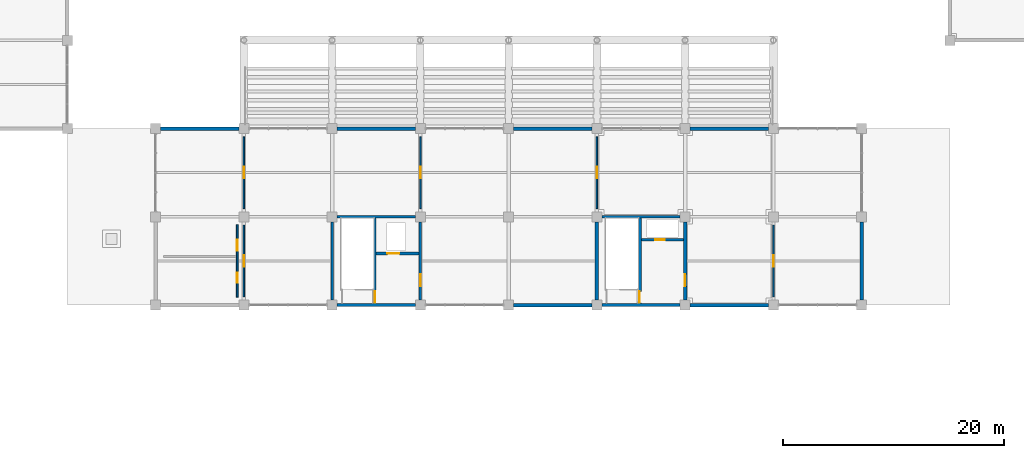
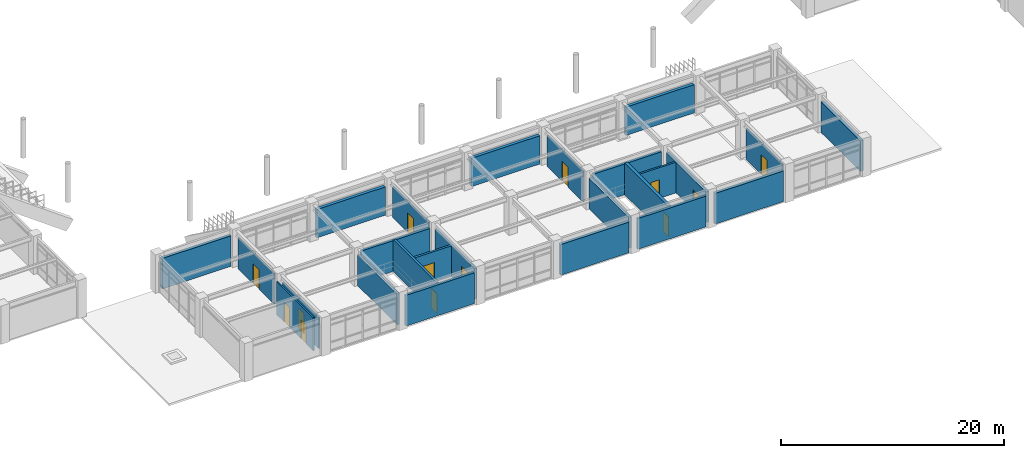
# One storey, part 87 of 118: 25 walls, 13 doors, 13 openings.
"""IFC4 building model written with IfcOpenShell, lengths in metres."""

from ifc_helpers import new_model, si_unit, direction, frame, frame_2d, origin, place, context, subcontext, project, spatial, rectangle, extrude, material, layer, layer_set, type_object, element, fill, save


model = new_model("IFC4")

# Units and contexts
model_context = context("Model", 3, precision=1e-05, world=origin(), true_north=direction((0.0, 1.0)))
body_context = subcontext(model_context, "Body", "Model", "MODEL_VIEW")
ifc_project = project(units=[si_unit("LENGTHUNIT", "METRE"), si_unit("AREAUNIT", "SQUARE_METRE"), si_unit("VOLUMEUNIT", "CUBIC_METRE"), si_unit("PLANEANGLEUNIT", "RADIAN"), si_unit("MASSUNIT", "GRAM", prefix="KILO")], contexts=[model_context])

# Site, building, storey
site_placement = place(None, origin())
site = spatial("IfcSite", under=ifc_project, at=site_placement, CompositionType="ELEMENT")
building_placement = place(site_placement, origin())
building = spatial("IfcBuilding", under=site, at=building_placement, Name="Haebicheon Civic Stadium", CompositionType="ELEMENT")
storey_placement = place(building_placement, frame((0.0, 0.0, 14.39990234375)))
storey = spatial("IfcBuildingStorey", under=building, at=storey_placement, Name="L04", CompositionType="ELEMENT", Elevation=14.39990234375)

# Walls
ifc_material_1 = material(Name="Concrete C40/50", Category="concrete")
ifc_layer_1 = layer(ifc_material_1, 0.239990234375, Name="Concrete C40/50")
ifc_layer_set_1 = layer_set([ifc_layer_1], Name="Concrete C40/50")
wall_type_1 = type_object("IfcWallType", Name="CW-SHR-240", PredefinedType="SHEAR", material=ifc_layer_set_1)
for number, where, z_axis, x_axis, name in (
    (1, (88.449951171875, 16.0, 0.0), (0.0, 0.0, 1.0), (1.0, 0.0, 0.0), "KC-06 L04 south core shear wall"),
    (2, (88.449951171875, 24.0, 0.0), (0.0, 0.0, 1.0), (1.0, 0.0, 0.0), "KC-06 L04 north core shear wall"),
    (3, (88.0, 16.449951171875, 0.0), (0.0, 0.0, 1.0), (0.0, 1.0, 0.0), "KC-06 L04 west core shear wall"),
):
    element("IfcWall", number, at=place(storey_placement, frame(where, z_axis=z_axis, x_axis=x_axis)), inside=storey, type_object=wall_type_1, material=ifc_layer_set_1, Name=name, PredefinedType="SHEAR", context=body_context, shape_type="SweptSolid", body=[
        extrude(rectangle(XDim=7.10009765625, YDim=0.239990234375, at=frame_2d((3.550048828125, 0.0))), origin(), (0.0, 0.0, 1.0), 3.3701171875),
    ])

# Wall, opening, door
wall_1_placement = place(storey_placement, frame((96.0, 16.449951171875, 0.0), z_axis=(0.0, 0.0, 1.0), x_axis=(0.0, 1.0, 0.0)))
wall_1 = element("IfcWall", 4, at=wall_1_placement, inside=storey, type_object=wall_type_1, material=ifc_layer_set_1, Name="KC-06 L04 east core shear wall", PredefinedType="SHEAR", context=body_context, shape_type="SweptSolid", body=[
    extrude(rectangle(XDim=7.10009765625, YDim=0.239990234375, at=frame_2d((3.550048828125, 0.0))), origin(), (0.0, 0.0, 1.0), 3.3701171875),
])
opening_1_placement = place(wall_1_placement, frame((1.25, 0.0, 0.0)))
opening_1 = element("IfcOpeningElement", 5, at=opening_1_placement, cuts=wall_1, Name="Opening D-L04-KC-06-LOB", PredefinedType="OPENING", context=body_context, shape_type="SweptSolid", body=[
    extrude(rectangle(XDim=1.10009765625, YDim=2.199951171875, at=frame_2d((0.550048828125, 1.10009765625))), frame((0.0, 0.1298828125, 0.0), z_axis=(0.0, -1.0, 0.0), x_axis=(1.0, 0.0, 0.0)), (0.0, 0.0, 1.0), 0.260009765625),
])
ifc_material_2 = material(Name="Galvanised painted steel SM355", Category="steel")
door_type_1 = type_object("IfcDoorType", Name="ID-FD-1100", OperationType="NOTDEFINED", PredefinedType="DOOR", material=ifc_material_2)
door_1_placement = place(opening_1_placement, origin())
door_1 = element("IfcDoor", 6, at=door_1_placement, inside=storey, type_object=door_type_1, material=ifc_material_2, Name="L04 KC-06 lobby fire door", OperationType="SINGLE_SWING_LEFT", OverallHeight=2.199951171875, OverallWidth=1.10009765625, PredefinedType="DOOR", context=body_context, shape_type="SweptSolid", body=[
    extrude(rectangle(XDim=1.10009765625, YDim=2.199951171875, at=frame_2d((0.550048828125, 1.10009765625))), frame((0.0, 0.02490234375, 0.0), z_axis=(0.0, -1.0, 0.0), x_axis=(1.0, 0.0, 0.0)), (0.0, 0.0, 1.0), 0.050048828125),
])
fill(opening_1, door_1)

wall_2_placement = place(storey_placement, frame((91.8798828125, 16.1201171875, 0.0), z_axis=(0.0, 0.0, 1.0), x_axis=(0.0, 1.0, 0.0)))
wall_2 = element("IfcWall", 7, at=wall_2_placement, inside=storey, type_object=wall_type_1, material=ifc_layer_set_1, Name="KC-06 L04 stair-lobby dividing shear wall", PredefinedType="SHEAR", context=body_context, shape_type="SweptSolid", body=[
    extrude(rectangle(XDim=7.759765625, YDim=0.239990234375, at=frame_2d((3.8798828125, 0.0))), origin(), (0.0, 0.0, 1.0), 3.47021484375),
])
opening_2_placement = place(wall_2_placement, frame((0.080078125, 0.0, 0.0)))
opening_2 = element("IfcOpeningElement", 8, at=opening_2_placement, cuts=wall_2, Name="Opening D-L04-KC-06-STR", PredefinedType="OPENING", context=body_context, shape_type="SweptSolid", body=[
    extrude(rectangle(XDim=1.050048828125, YDim=2.14990234375, at=frame_2d((0.52490234375, 1.074951171875))), frame((0.0, 0.1298828125, 0.0), z_axis=(0.0, -1.0, 0.0), x_axis=(1.0, 0.0, 0.0)), (0.0, 0.0, 1.0), 0.260009765625),
])
ifc_material_3 = material(Name="Galvanised painted steel SM355", Category="steel")
door_type_2 = type_object("IfcDoorType", Name="ID-FD-1050", OperationType="NOTDEFINED", PredefinedType="DOOR", material=ifc_material_3)
door_2_placement = place(opening_2_placement, origin())
door_2 = element("IfcDoor", 9, at=door_2_placement, inside=storey, type_object=door_type_2, material=ifc_material_3, Name="L04 ST-06 stairwell escape door", OperationType="SINGLE_SWING_RIGHT", OverallHeight=2.14990234375, OverallWidth=1.050048828125, PredefinedType="DOOR", context=body_context, shape_type="SweptSolid", body=[
    extrude(rectangle(XDim=1.050048828125, YDim=2.14990234375, at=frame_2d((0.52490234375, 1.074951171875))), frame((0.0, 0.02490234375, 0.0), z_axis=(0.0, -1.0, 0.0), x_axis=(1.0, 0.0, 0.0)), (0.0, 0.0, 1.0), 0.050048828125),
])
fill(opening_2, door_2)

wall_3_placement = place(storey_placement, frame((92.0, 20.679931640625, 0.0), z_axis=(0.0, 0.0, 1.0), x_axis=(1.0, 0.0, 0.0)))
wall_3 = element("IfcWall", 10, at=wall_3_placement, inside=storey, type_object=wall_type_1, material=ifc_layer_set_1, Name="KC-06 L04 lift shaft front wall", PredefinedType="SHEAR", context=body_context, shape_type="SweptSolid", body=[
    extrude(rectangle(XDim=3.8798828125, YDim=0.239990234375, at=frame_2d((1.93994140625, 0.0))), origin(), (0.0, 0.0, 1.0), 3.3701171875),
])
opening_3_placement = place(wall_3_placement, frame((1.0, 0.0, 0.0)))
opening_3 = element("IfcOpeningElement", 11, at=opening_3_placement, cuts=wall_3, Name="Opening LD-05-L04", PredefinedType="OPENING", context=body_context, shape_type="SweptSolid", body=[
    extrude(rectangle(XDim=1.10009765625, YDim=2.14990234375, at=frame_2d((0.550048828125, 1.074951171875))), frame((0.0, 0.1298828125, 0.0), z_axis=(0.0, -1.0, 0.0), x_axis=(1.0, 0.0, 0.0)), (0.0, 0.0, 1.0), 0.260009765625),
])
ifc_material_4 = material(Name="Stainless steel 316", Category="steel")
door_type_3 = type_object("IfcDoorType", Name="ID-LD-1100", OperationType="NOTDEFINED", PredefinedType="DOOR", material=ifc_material_4)
door_3_placement = place(opening_3_placement, origin())
door_3 = element("IfcDoor", 12, at=door_3_placement, inside=storey, type_object=door_type_3, material=ifc_material_4, Name="LF-05 lift landing sliding door L04", OperationType="SLIDING_TO_LEFT", OverallHeight=2.14990234375, OverallWidth=1.10009765625, PredefinedType="DOOR", context=body_context, shape_type="SweptSolid", body=[
    extrude(rectangle(XDim=1.10009765625, YDim=2.14990234375, at=frame_2d((0.550048828125, 1.074951171875))), frame((0.0, 0.02490234375, 0.0), z_axis=(0.0, -1.0, 0.0), x_axis=(1.0, 0.0, 0.0)), (0.0, 0.0, 1.0), 0.050048828125),
])
fill(opening_3, door_3)

# Walls
for number, where, z_axis, x_axis, name in (
    (13, (112.449951171875, 16.0, 0.0), (0.0, 0.0, 1.0), (1.0, 0.0, 0.0), "KC-07 L04 south core shear wall"),
    (14, (112.449951171875, 24.0, 0.0), (0.0, 0.0, 1.0), (1.0, 0.0, 0.0), "KC-07 L04 north core shear wall"),
):
    element("IfcWall", number, at=place(storey_placement, frame(where, z_axis=z_axis, x_axis=x_axis)), inside=storey, type_object=wall_type_1, material=ifc_layer_set_1, Name=name, PredefinedType="SHEAR", context=body_context, shape_type="SweptSolid", body=[
        extrude(rectangle(XDim=7.10009765625, YDim=0.239990234375, at=frame_2d((3.550048828125, 0.0))), origin(), (0.0, 0.0, 1.0), 3.3701171875),
    ])
ifc_material_5 = material(Name="Concrete C40/50", Category="concrete")
ifc_layer_2 = layer(ifc_material_5, 0.300048828125, Name="Concrete C40/50")
ifc_layer_set_2 = layer_set([ifc_layer_2], Name="Concrete C40/50")
wall_type_2 = type_object("IfcWallType", Name="CW-SHR-300", PredefinedType="SHEAR", material=ifc_layer_set_2)
wall_4_placement = place(storey_placement, frame((112.0, 16.449951171875, 0.0), z_axis=(0.0, 0.0, 1.0), x_axis=(0.0, 1.0, 0.0)))
element("IfcWall", 15, at=wall_4_placement, inside=storey, type_object=wall_type_2, material=ifc_layer_set_2, Name="KC-07 L04 west core shear wall", PredefinedType="SHEAR", context=body_context, shape_type="SweptSolid", body=[
    extrude(rectangle(XDim=7.10009765625, YDim=0.300048828125, at=frame_2d((3.550048828125, 0.0))), origin(), (0.0, 0.0, 1.0), 3.3701171875),
])

# Wall, opening, door
wall_5_placement = place(storey_placement, frame((120.0, 16.449951171875, 0.0), z_axis=(0.0, 0.0, 1.0), x_axis=(0.0, 1.0, 0.0)))
wall_5 = element("IfcWall", 16, at=wall_5_placement, inside=storey, type_object=wall_type_2, material=ifc_layer_set_2, Name="KC-07 L04 east core shear wall", PredefinedType="SHEAR", context=body_context, shape_type="SweptSolid", body=[
    extrude(rectangle(XDim=7.10009765625, YDim=0.300048828125, at=frame_2d((3.550048828125, 0.0))), origin(), (0.0, 0.0, 1.0), 3.3701171875),
])
opening_4_placement = place(wall_5_placement, frame((1.25, 0.0, 0.0)))
opening_4 = element("IfcOpeningElement", 17, at=opening_4_placement, cuts=wall_5, Name="Opening D-L04-KC-07-LOB", PredefinedType="OPENING", context=body_context, shape_type="SweptSolid", body=[
    extrude(rectangle(XDim=1.10009765625, YDim=2.199951171875, at=frame_2d((0.550048828125, 1.10009765625))), frame((0.0, 0.159912109375, 0.0), z_axis=(0.0, -1.0, 0.0), x_axis=(1.0, 0.0, 0.0)), (0.0, 0.0, 1.0), 0.320068359375),
])
door_4_placement = place(opening_4_placement, origin())
door_4 = element("IfcDoor", 18, at=door_4_placement, inside=storey, type_object=door_type_1, material=ifc_material_2, Name="L04 KC-07 lobby fire door", OperationType="SINGLE_SWING_LEFT", OverallHeight=2.199951171875, OverallWidth=1.10009765625, PredefinedType="DOOR", context=body_context, shape_type="SweptSolid", body=[
    extrude(rectangle(XDim=1.10009765625, YDim=2.199951171875, at=frame_2d((0.550048828125, 1.10009765625))), frame((0.0, 0.02490234375, 0.0), z_axis=(0.0, -1.0, 0.0), x_axis=(1.0, 0.0, 0.0)), (0.0, 0.0, 1.0), 0.050048828125),
])
fill(opening_4, door_4)

wall_6_placement = place(storey_placement, frame((115.8798828125, 16.1201171875, 0.0), z_axis=(0.0, 0.0, 1.0), x_axis=(0.0, 1.0, 0.0)))
wall_6 = element("IfcWall", 19, at=wall_6_placement, inside=storey, type_object=wall_type_2, material=ifc_layer_set_2, Name="KC-07 L04 stair-lobby dividing shear wall", PredefinedType="SHEAR", context=body_context, shape_type="SweptSolid", body=[
    extrude(rectangle(XDim=7.759765625, YDim=0.300048828125, at=frame_2d((3.8798828125, 0.0))), origin(), (0.0, 0.0, 1.0), 3.47021484375),
])
opening_5_placement = place(wall_6_placement, frame((0.080078125, 0.0, 0.0)))
opening_5 = element("IfcOpeningElement", 20, at=opening_5_placement, cuts=wall_6, Name="Opening D-L04-KC-07-STR", PredefinedType="OPENING", context=body_context, shape_type="SweptSolid", body=[
    extrude(rectangle(XDim=1.050048828125, YDim=2.14990234375, at=frame_2d((0.52490234375, 1.074951171875))), frame((0.0, 0.159912109375, 0.0), z_axis=(0.0, -1.0, 0.0), x_axis=(1.0, 0.0, 0.0)), (0.0, 0.0, 1.0), 0.320068359375),
])
door_5_placement = place(opening_5_placement, origin())
door_5 = element("IfcDoor", 21, at=door_5_placement, inside=storey, type_object=door_type_2, material=ifc_material_3, Name="L04 ST-07 stairwell escape door", OperationType="SINGLE_SWING_RIGHT", OverallHeight=2.14990234375, OverallWidth=1.050048828125, PredefinedType="DOOR", context=body_context, shape_type="SweptSolid", body=[
    extrude(rectangle(XDim=1.050048828125, YDim=2.14990234375, at=frame_2d((0.52490234375, 1.074951171875))), frame((0.0, 0.02490234375, 0.0), z_axis=(0.0, -1.0, 0.0), x_axis=(1.0, 0.0, 0.0)), (0.0, 0.0, 1.0), 0.050048828125),
])
fill(opening_5, door_5)

# Walls
ifc_material_6 = material(Name="Precast concrete C40/50", Category="concrete")
ifc_layer_3 = layer(ifc_material_6, 0.320068359375, Name="Precast concrete C40/50")
ifc_layer_set_3 = layer_set([ifc_layer_3], Name="Precast concrete C40/50")
wall_type_3 = type_object("IfcWallType", Name="EW-BM-320", PredefinedType="SOLIDWALL", material=ifc_layer_set_3)
wall_7_placement = place(storey_placement, frame((72.449951171875, 32.0, 0.0), z_axis=(0.0, 0.0, 1.0), x_axis=(1.0, 0.0, 0.0)))
element("IfcWall", 22, at=wall_7_placement, inside=storey, type_object=wall_type_3, material=ifc_layer_set_3, Name="L04 board-marked concrete facade wall 09-04-N", PredefinedType="SOLIDWALL", context=body_context, shape_type="SweptSolid", body=[
    extrude(rectangle(XDim=7.10009765625, YDim=0.320068359375, at=frame_2d((3.550048828125, 0.0))), origin(), (0.0, 0.0, 1.0), 3.34619140625),
])
wall_8_placement = place(storey_placement, frame((88.449951171875, 32.0, 0.0), z_axis=(0.0, 0.0, 1.0), x_axis=(1.0, 0.0, 0.0)))
element("IfcWall", 23, at=wall_8_placement, inside=storey, type_object=wall_type_3, material=ifc_layer_set_3, Name="L04 board-marked concrete facade wall 11-04-N", PredefinedType="SOLIDWALL", context=body_context, shape_type="SweptSolid", body=[
    extrude(rectangle(XDim=7.10009765625, YDim=0.320068359375, at=frame_2d((3.550048828125, 0.0))), origin(), (0.0, 0.0, 1.0), 3.10009765625),
])
wall_9_placement = place(storey_placement, frame((104.449951171875, 16.0, 0.0), z_axis=(0.0, 0.0, 1.0), x_axis=(1.0, 0.0, 0.0)))
element("IfcWall", 24, at=wall_9_placement, inside=storey, type_object=wall_type_3, material=ifc_layer_set_3, Name="L04 board-marked concrete facade wall 13-02-S", PredefinedType="SOLIDWALL", context=body_context, shape_type="SweptSolid", body=[
    extrude(rectangle(XDim=7.10009765625, YDim=0.320068359375, at=frame_2d((3.550048828125, 0.0))), origin(), (0.0, 0.0, 1.0), 3.35009765625),
])
wall_10_placement = place(storey_placement, frame((104.449951171875, 32.0, 0.0), z_axis=(0.0, 0.0, 1.0), x_axis=(1.0, 0.0, 0.0)))
element("IfcWall", 25, at=wall_10_placement, inside=storey, type_object=wall_type_3, material=ifc_layer_set_3, Name="L04 board-marked concrete facade wall 13-04-N", PredefinedType="SOLIDWALL", context=body_context, shape_type="SweptSolid", body=[
    extrude(rectangle(XDim=7.10009765625, YDim=0.320068359375, at=frame_2d((3.550048828125, 0.0))), origin(), (0.0, 0.0, 1.0), 3.10009765625),
])
wall_11_placement = place(storey_placement, frame((120.449951171875, 16.0, 0.0), z_axis=(0.0, 0.0, 1.0), x_axis=(1.0, 0.0, 0.0)))
element("IfcWall", 26, at=wall_11_placement, inside=storey, type_object=wall_type_3, material=ifc_layer_set_3, Name="L04 board-marked concrete facade wall 15-02-S", PredefinedType="SOLIDWALL", context=body_context, shape_type="SweptSolid", body=[
    extrude(rectangle(XDim=7.10009765625, YDim=0.320068359375, at=frame_2d((3.550048828125, 0.0))), origin(), (0.0, 0.0, 1.0), 3.35009765625),
])
wall_12_placement = place(storey_placement, frame((120.449951171875, 32.0, 0.0), z_axis=(0.0, 0.0, 1.0), x_axis=(1.0, 0.0, 0.0)))
element("IfcWall", 27, at=wall_12_placement, inside=storey, type_object=wall_type_3, material=ifc_layer_set_3, Name="L04 board-marked concrete facade wall 15-04-N", PredefinedType="SOLIDWALL", context=body_context, shape_type="SweptSolid", body=[
    extrude(rectangle(XDim=7.10009765625, YDim=0.320068359375, at=frame_2d((3.550048828125, 0.0))), origin(), (0.0, 0.0, 1.0), 3.10009765625),
])
wall_13_placement = place(storey_placement, frame((136.0, 16.449951171875, 0.0), z_axis=(0.0, 0.0, 1.0), x_axis=(0.0, 1.0, 0.0)))
element("IfcWall", 28, at=wall_13_placement, inside=storey, type_object=wall_type_3, material=ifc_layer_set_3, Name="L04 board-marked concrete facade wall 17-02-E", PredefinedType="SOLIDWALL", context=body_context, shape_type="SweptSolid", body=[
    extrude(rectangle(XDim=7.10009765625, YDim=0.320068359375, at=frame_2d((3.550048828125, 0.0))), origin(), (0.0, 0.0, 1.0), 3.35009765625),
])

# Wall, opening, door
ifc_material_7 = material(Name="Concrete C35/45", Category="concrete")
ifc_layer_4 = layer(ifc_material_7, 0.199951171875, Name="Concrete C35/45")
ifc_layer_set_4 = layer_set([ifc_layer_4], Name="Concrete C35/45")
wall_type_4 = type_object("IfcWallType", Name="IW-FIR-200", PredefinedType="PARTITIONING", material=ifc_layer_set_4)
wall_14_placement = place(storey_placement, frame((116.030029296875, 21.919921875, 0.0), z_axis=(0.0, 0.0, 1.0), x_axis=(1.0, 0.0, 0.0)))
wall_14 = element("IfcWall", 29, at=wall_14_placement, inside=storey, type_object=wall_type_4, material=ifc_layer_set_4, Name="KC-07 L04 service riser wall", PredefinedType="PARTITIONING", context=body_context, shape_type="SweptSolid", body=[
    extrude(rectangle(XDim=3.820068359375, YDim=0.199951171875, at=frame_2d((1.91015625, 0.0))), origin(), (0.0, 0.0, 1.0), 3.3701171875),
])
opening_6_placement = place(wall_14_placement, frame((1.25, 0.0, 0.0)))
opening_6 = element("IfcOpeningElement", 30, at=opening_6_placement, cuts=wall_14, Name="Opening D-L04-KC-07-RSR", PredefinedType="OPENING", context=body_context, shape_type="SweptSolid", body=[
    extrude(rectangle(XDim=0.85009765625, YDim=2.050048828125, at=frame_2d((0.425048828125, 1.02490234375))), frame((0.0, 0.10986328125, 0.0), z_axis=(0.0, -1.0, 0.0), x_axis=(1.0, 0.0, 0.0)), (0.0, 0.0, 1.0), 0.219970703125),
])
ifc_material_8 = material(Name="Galvanised painted steel SM355", Category="steel")
door_type_4 = type_object("IfcDoorType", Name="ID-RSR-0850", OperationType="NOTDEFINED", PredefinedType="TRAPDOOR", material=ifc_material_8)
door_6_placement = place(opening_6_placement, origin())
door_6 = element("IfcDoor", 31, at=door_6_placement, inside=storey, type_object=door_type_4, material=ifc_material_8, Name="L04 KC-07 riser access door", OperationType="SINGLE_SWING_LEFT", OverallHeight=2.050048828125, OverallWidth=0.85009765625, PredefinedType="TRAPDOOR", context=body_context, shape_type="SweptSolid", body=[
    extrude(rectangle(XDim=0.85009765625, YDim=2.050048828125, at=frame_2d((0.425048828125, 1.02490234375))), frame((0.0, 0.02490234375, 0.0), z_axis=(0.0, -1.0, 0.0), x_axis=(1.0, 0.0, 0.0)), (0.0, 0.0, 1.0), 0.050048828125),
])
fill(opening_6, door_6)

# Wall, openings, doors
ifc_material_9 = material(Name="Gypsum plasterboard on steel studs", Category="gypsum")
ifc_layer_5 = layer(ifc_material_9, 0.14990234375, Name="Gypsum plasterboard on steel studs")
ifc_layer_set_5 = layer_set([ifc_layer_5], Name="Gypsum plasterboard on steel studs")
wall_type_5 = type_object("IfcWallType", Name="IW-PRT-150", PredefinedType="PARTITIONING", material=ifc_layer_set_5)
wall_15_placement = place(storey_placement, frame((79.39990234375, 16.719970703125, 0.0), z_axis=(0.0, 0.0, 1.0), x_axis=(0.0, 1.0, 0.0)))
wall_15 = element("IfcWall", 32, at=wall_15_placement, inside=storey, type_object=wall_type_5, material=ifc_layer_set_5, Name="L04 sanitary enclosure front wall 14", PredefinedType="PARTITIONING", context=body_context, shape_type="SweptSolid", body=[
    extrude(rectangle(XDim=6.56005859375, YDim=0.14990234375, at=frame_2d((3.280029296875, 0.0))), origin(), (0.0, 0.0, 1.0), 3.6201171875),
])
opening_7_placement = place(wall_15_placement, frame((1.300048828125, 0.0, 0.0)))
opening_7 = element("IfcOpeningElement", 33, at=opening_7_placement, cuts=wall_15, Name="Opening D-L04-WC-14A", PredefinedType="OPENING", context=body_context, shape_type="SweptSolid", body=[
    extrude(rectangle(XDim=0.89990234375, YDim=2.10009765625, at=frame_2d((0.449951171875, 1.050048828125))), frame((0.0, 0.0849609375, 0.0), z_axis=(0.0, -1.0, 0.0), x_axis=(1.0, 0.0, 0.0)), (0.0, 0.0, 1.0), 0.169921875),
])
opening_8_placement = place(wall_15_placement, frame((4.199951171875, 0.0, 0.0)))
opening_8 = element("IfcOpeningElement", 34, at=opening_8_placement, cuts=wall_15, Name="Opening D-L04-AWC-14B", PredefinedType="OPENING", context=body_context, shape_type="SweptSolid", body=[
    extrude(rectangle(XDim=1.0, YDim=2.14990234375, at=frame_2d((0.5, 1.074951171875))), frame((0.0, 0.0849609375, 0.0), z_axis=(0.0, -1.0, 0.0), x_axis=(1.0, 0.0, 0.0)), (0.0, 0.0, 1.0), 0.169921875),
])
ifc_material_10 = material(Name="Anodised aluminium 6063-T6", Category="aluminium")
door_type_5 = type_object("IfcDoorType", Name="ID-AWC-1000", OperationType="NOTDEFINED", PredefinedType="DOOR", material=ifc_material_10)
door_7_placement = place(opening_8_placement, origin())
door_7 = element("IfcDoor", 35, at=door_7_placement, inside=storey, type_object=door_type_5, material=ifc_material_10, Name="L04 accessible WC door 14", OperationType="SINGLE_SWING_LEFT", OverallHeight=2.14990234375, OverallWidth=1.0, PredefinedType="DOOR", context=body_context, shape_type="SweptSolid", body=[
    extrude(rectangle(XDim=1.0, YDim=2.14990234375, at=frame_2d((0.5, 1.074951171875))), frame((0.0, 0.02490234375, 0.0), z_axis=(0.0, -1.0, 0.0), x_axis=(1.0, 0.0, 0.0)), (0.0, 0.0, 1.0), 0.050048828125),
])
fill(opening_8, door_7)
ifc_material_11 = material(Name="Anodised aluminium 6063-T6", Category="aluminium")
door_type_6 = type_object("IfcDoorType", Name="ID-WC-0900", OperationType="NOTDEFINED", PredefinedType="DOOR", material=ifc_material_11)
door_8_placement = place(opening_7_placement, origin())
door_8 = element("IfcDoor", 36, at=door_8_placement, inside=storey, type_object=door_type_6, material=ifc_material_11, Name="L04 public restroom door 14", OperationType="SINGLE_SWING_RIGHT", OverallHeight=2.10009765625, OverallWidth=0.89990234375, PredefinedType="DOOR", context=body_context, shape_type="SweptSolid", body=[
    extrude(rectangle(XDim=0.89990234375, YDim=2.10009765625, at=frame_2d((0.449951171875, 1.050048828125))), frame((0.0, 0.02490234375, 0.0), z_axis=(0.0, -1.0, 0.0), x_axis=(1.0, 0.0, 0.0)), (0.0, 0.0, 1.0), 0.050048828125),
])
fill(opening_7, door_8)

# Wall, opening, door
wall_16_placement = place(storey_placement, frame((80.0, 24.75, 0.0), z_axis=(0.0, 0.0, 1.0), x_axis=(0.0, 1.0, 0.0)))
wall_16 = element("IfcWall", 37, at=wall_16_placement, inside=storey, type_object=wall_type_5, material=ifc_layer_set_5, Name="L04 Hospitality Suite partition wall", PredefinedType="PARTITIONING", context=body_context, shape_type="SweptSolid", body=[
    extrude(rectangle(XDim=6.5, YDim=0.14990234375, at=frame_2d((3.25, 0.0))), origin(), (0.0, 0.0, 1.0), 3.3701171875),
])
opening_9_placement = place(wall_16_placement, frame((2.72509765625, 0.0, 0.0)))
opening_9 = element("IfcOpeningElement", 38, at=opening_9_placement, cuts=wall_16, Name="Opening D-L04-375", PredefinedType="OPENING", context=body_context, shape_type="SweptSolid", body=[
    extrude(rectangle(XDim=1.050048828125, YDim=2.14990234375, at=frame_2d((0.52490234375, 1.074951171875))), frame((0.0, 0.0849609375, 0.0), z_axis=(0.0, -1.0, 0.0), x_axis=(1.0, 0.0, 0.0)), (0.0, 0.0, 1.0), 0.169921875),
])
ifc_material_12 = material(Name="Engineered hardwood timber", Category="wood")
door_type_7 = type_object("IfcDoorType", Name="ID-RM-1050", OperationType="NOTDEFINED", PredefinedType="DOOR", material=ifc_material_12)
door_9_placement = place(opening_9_placement, origin())
door_9 = element("IfcDoor", 39, at=door_9_placement, inside=storey, type_object=door_type_7, material=ifc_material_12, Name="L04 Hospitality Suite entrance door D-L04-375", OperationType="SINGLE_SWING_RIGHT", OverallHeight=2.14990234375, OverallWidth=1.050048828125, PredefinedType="DOOR", context=body_context, shape_type="SweptSolid", body=[
    extrude(rectangle(XDim=1.050048828125, YDim=2.14990234375, at=frame_2d((0.52490234375, 1.074951171875))), frame((0.0, 0.02490234375, 0.0), z_axis=(0.0, -1.0, 0.0), x_axis=(1.0, 0.0, 0.0)), (0.0, 0.0, 1.0), 0.050048828125),
])
fill(opening_9, door_9)

wall_17_placement = place(storey_placement, frame((80.0, 16.75, 0.0), z_axis=(0.0, 0.0, 1.0), x_axis=(0.0, 1.0, 0.0)))
wall_17 = element("IfcWall", 40, at=wall_17_placement, inside=storey, type_object=wall_type_5, material=ifc_layer_set_5, Name="L04 Hospitality Suite partition wall", PredefinedType="PARTITIONING", context=body_context, shape_type="SweptSolid", body=[
    extrude(rectangle(XDim=6.5, YDim=0.14990234375, at=frame_2d((3.25, 0.0))), origin(), (0.0, 0.0, 1.0), 3.3701171875),
])
opening_10_placement = place(wall_17_placement, frame((2.72509765625, 0.0, 0.0)))
opening_10 = element("IfcOpeningElement", 41, at=opening_10_placement, cuts=wall_17, Name="Opening D-L04-378", PredefinedType="OPENING", context=body_context, shape_type="SweptSolid", body=[
    extrude(rectangle(XDim=1.050048828125, YDim=2.14990234375, at=frame_2d((0.52490234375, 1.074951171875))), frame((0.0, 0.0849609375, 0.0), z_axis=(0.0, -1.0, 0.0), x_axis=(1.0, 0.0, 0.0)), (0.0, 0.0, 1.0), 0.169921875),
])
door_10_placement = place(opening_10_placement, origin())
door_10 = element("IfcDoor", 42, at=door_10_placement, inside=storey, type_object=door_type_7, material=ifc_material_12, Name="L04 Hospitality Suite entrance door D-L04-378", OperationType="SINGLE_SWING_RIGHT", OverallHeight=2.14990234375, OverallWidth=1.050048828125, PredefinedType="DOOR", context=body_context, shape_type="SweptSolid", body=[
    extrude(rectangle(XDim=1.050048828125, YDim=2.14990234375, at=frame_2d((0.52490234375, 1.074951171875))), frame((0.0, 0.02490234375, 0.0), z_axis=(0.0, -1.0, 0.0), x_axis=(1.0, 0.0, 0.0)), (0.0, 0.0, 1.0), 0.050048828125),
])
fill(opening_10, door_10)

wall_18_placement = place(storey_placement, frame((96.0, 24.75, 0.0), z_axis=(0.0, 0.0, 1.0), x_axis=(0.0, 1.0, 0.0)))
wall_18 = element("IfcWall", 43, at=wall_18_placement, inside=storey, type_object=wall_type_5, material=ifc_layer_set_5, Name="L04 Hospitality Suite partition wall", PredefinedType="PARTITIONING", context=body_context, shape_type="SweptSolid", body=[
    extrude(rectangle(XDim=6.5, YDim=0.14990234375, at=frame_2d((3.25, 0.0))), origin(), (0.0, 0.0, 1.0), 3.3701171875),
])
opening_11_placement = place(wall_18_placement, frame((2.72509765625, 0.0, 0.0)))
opening_11 = element("IfcOpeningElement", 44, at=opening_11_placement, cuts=wall_18, Name="Opening D-L04-381", PredefinedType="OPENING", context=body_context, shape_type="SweptSolid", body=[
    extrude(rectangle(XDim=1.050048828125, YDim=2.14990234375, at=frame_2d((0.52490234375, 1.074951171875))), frame((0.0, 0.0849609375, 0.0), z_axis=(0.0, -1.0, 0.0), x_axis=(1.0, 0.0, 0.0)), (0.0, 0.0, 1.0), 0.169921875),
])
door_11_placement = place(opening_11_placement, origin())
door_11 = element("IfcDoor", 45, at=door_11_placement, inside=storey, type_object=door_type_7, material=ifc_material_12, Name="L04 Hospitality Suite entrance door D-L04-381", OperationType="SINGLE_SWING_LEFT", OverallHeight=2.14990234375, OverallWidth=1.050048828125, PredefinedType="DOOR", context=body_context, shape_type="SweptSolid", body=[
    extrude(rectangle(XDim=1.050048828125, YDim=2.14990234375, at=frame_2d((0.52490234375, 1.074951171875))), frame((0.0, 0.02490234375, 0.0), z_axis=(0.0, -1.0, 0.0), x_axis=(1.0, 0.0, 0.0)), (0.0, 0.0, 1.0), 0.050048828125),
])
fill(opening_11, door_11)

wall_19_placement = place(storey_placement, frame((112.0, 24.75, 0.0), z_axis=(0.0, 0.0, 1.0), x_axis=(0.0, 1.0, 0.0)))
wall_19 = element("IfcWall", 46, at=wall_19_placement, inside=storey, type_object=wall_type_5, material=ifc_layer_set_5, Name="L04 Hospitality Suite partition wall", PredefinedType="PARTITIONING", context=body_context, shape_type="SweptSolid", body=[
    extrude(rectangle(XDim=6.5, YDim=0.14990234375, at=frame_2d((3.25, 0.0))), origin(), (0.0, 0.0, 1.0), 3.3701171875),
])
opening_12_placement = place(wall_19_placement, frame((2.72509765625, 0.0, 0.0)))
opening_12 = element("IfcOpeningElement", 47, at=opening_12_placement, cuts=wall_19, Name="Opening D-L04-384", PredefinedType="OPENING", context=body_context, shape_type="SweptSolid", body=[
    extrude(rectangle(XDim=1.050048828125, YDim=2.14990234375, at=frame_2d((0.52490234375, 1.074951171875))), frame((0.0, 0.0849609375, 0.0), z_axis=(0.0, -1.0, 0.0), x_axis=(1.0, 0.0, 0.0)), (0.0, 0.0, 1.0), 0.169921875),
])
door_12_placement = place(opening_12_placement, origin())
door_12 = element("IfcDoor", 48, at=door_12_placement, inside=storey, type_object=door_type_7, material=ifc_material_12, Name="L04 Hospitality Suite entrance door D-L04-384", OperationType="SINGLE_SWING_LEFT", OverallHeight=2.14990234375, OverallWidth=1.050048828125, PredefinedType="DOOR", context=body_context, shape_type="SweptSolid", body=[
    extrude(rectangle(XDim=1.050048828125, YDim=2.14990234375, at=frame_2d((0.52490234375, 1.074951171875))), frame((0.0, 0.02490234375, 0.0), z_axis=(0.0, -1.0, 0.0), x_axis=(1.0, 0.0, 0.0)), (0.0, 0.0, 1.0), 0.050048828125),
])
fill(opening_12, door_12)

wall_20_placement = place(storey_placement, frame((128.0, 16.75, 0.0), z_axis=(0.0, 0.0, 1.0), x_axis=(0.0, 1.0, 0.0)))
wall_20 = element("IfcWall", 49, at=wall_20_placement, inside=storey, type_object=wall_type_5, material=ifc_layer_set_5, Name="L04 Hospitality Suite partition wall", PredefinedType="PARTITIONING", context=body_context, shape_type="SweptSolid", body=[
    extrude(rectangle(XDim=6.5, YDim=0.14990234375, at=frame_2d((3.25, 0.0))), origin(), (0.0, 0.0, 1.0), 3.3701171875),
])
opening_13_placement = place(wall_20_placement, frame((2.72509765625, 0.0, 0.0)))
opening_13 = element("IfcOpeningElement", 50, at=opening_13_placement, cuts=wall_20, Name="Opening D-L04-387", PredefinedType="OPENING", context=body_context, shape_type="SweptSolid", body=[
    extrude(rectangle(XDim=1.050048828125, YDim=2.14990234375, at=frame_2d((0.52490234375, 1.074951171875))), frame((0.0, 0.0849609375, 0.0), z_axis=(0.0, -1.0, 0.0), x_axis=(1.0, 0.0, 0.0)), (0.0, 0.0, 1.0), 0.169921875),
])
door_13_placement = place(opening_13_placement, origin())
door_13 = element("IfcDoor", 51, at=door_13_placement, inside=storey, type_object=door_type_7, material=ifc_material_12, Name="L04 Hospitality Suite entrance door D-L04-387", OperationType="SINGLE_SWING_RIGHT", OverallHeight=2.14990234375, OverallWidth=1.050048828125, PredefinedType="DOOR", context=body_context, shape_type="SweptSolid", body=[
    extrude(rectangle(XDim=1.050048828125, YDim=2.14990234375, at=frame_2d((0.52490234375, 1.074951171875))), frame((0.0, 0.02490234375, 0.0), z_axis=(0.0, -1.0, 0.0), x_axis=(1.0, 0.0, 0.0)), (0.0, 0.0, 1.0), 0.050048828125),
])
fill(opening_13, door_13)

save(model, "model.ifc")
